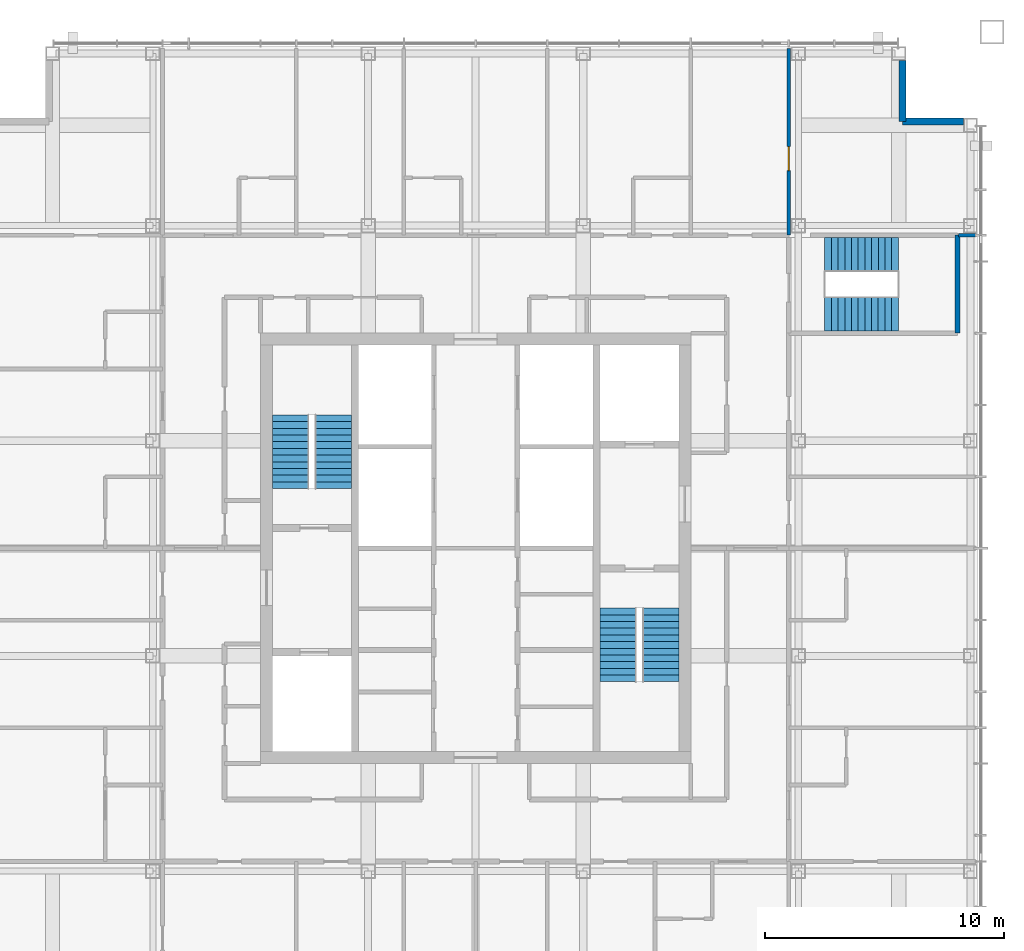
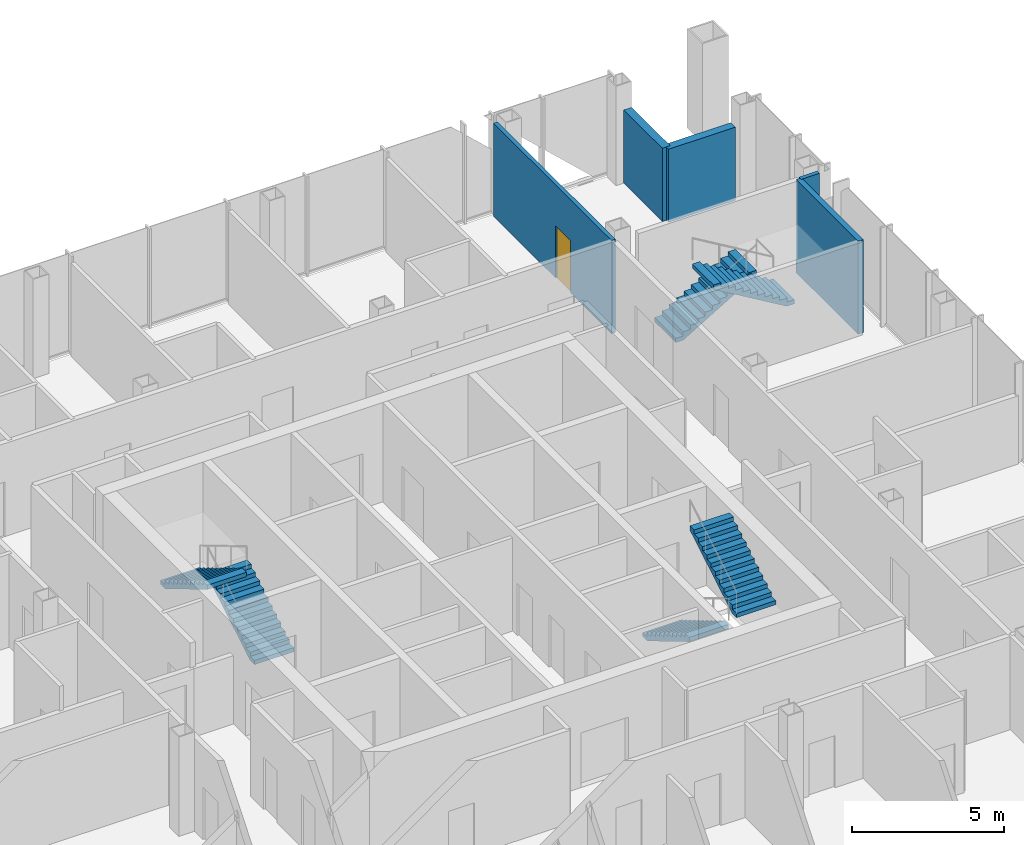
# One storey, part 11 of 16: 6 stair flights, 5 walls, 1 door, 1 opening, 3 elements without a shape of their own.
"""IFC4 building model written with IfcOpenShell, lengths in metres."""

from ifc_helpers import new_model, si_unit, direction, frame, frame_2d, origin, place, context, subcontext, project, spatial, polyline, rectangle, outline, extrude, material, layer, layer_set, type_object, element, fill, aggregate, save


model = new_model("IFC4")

# Units and contexts
model_context = context("Model", 3, precision=1e-05, world=origin(), true_north=direction((0.0, 1.0)))
body_context = subcontext(model_context, "Body", "Model", "MODEL_VIEW")
ifc_project = project(units=[si_unit("LENGTHUNIT", "METRE"), si_unit("AREAUNIT", "SQUARE_METRE"), si_unit("VOLUMEUNIT", "CUBIC_METRE"), si_unit("PLANEANGLEUNIT", "RADIAN"), si_unit("MASSUNIT", "GRAM", prefix="KILO")], contexts=[model_context])

# Site, building, storey
site_placement = place(None, origin())
site = spatial("IfcSite", under=ifc_project, at=site_placement, CompositionType="ELEMENT")
building_placement = place(site_placement, origin())
building = spatial("IfcBuilding", under=site, at=building_placement, Name="Malebo Sky Hospital", CompositionType="ELEMENT")
storey_placement = place(building_placement, frame((0.0, 0.0, 254.0)))
storey = spatial("IfcBuildingStorey", under=building, at=storey_placement, Name="L61", CompositionType="ELEMENT", Elevation=254.0)

# Walls
ifc_material_1 = material(Name="Anodised aluminium rainscreen on steel framing", Category="steel")
ifc_layer_1 = layer(ifc_material_1, 0.300048828125)
ifc_layer_set_1 = layer_set([ifc_layer_1], Name="NOTCH RAINSCREEN WALL 300")
wall_type_1 = type_object("IfcWallType", Name="NOTCH RAINSCREEN WALL 300", PredefinedType="ELEMENTEDWALL", material=ifc_layer_set_1)
for number, where, z_axis, x_axis, name in (
    (1, (77.85009765625, 82.39990234375, 0.0), (0.0, 0.0, 1.0), (0.0, -1.0, 0.0), "Notch rainscreen wall N1 L61"),
    (2, (77.85009765625, 79.85009765625, 0.0), (0.0, 0.0, 1.0), (1.0, 0.0, 0.0), "Notch rainscreen wall N2 L61"),
):
    element("IfcWall", number, at=place(storey_placement, frame(where, z_axis=z_axis, x_axis=x_axis)), inside=storey, type_object=wall_type_1, Name=name, PredefinedType="ELEMENTEDWALL", context=body_context, shape_type="SweptSolid", body=[
        extrude(rectangle(XDim=2.5498046875, YDim=0.300048828125, at=frame_2d((1.27490234375, 0.0))), origin(), (0.0, 0.0, 1.0), 2.949951171875),
    ])

# Wall, opening, door
ifc_material_2 = material(Name="Gypsum board on steel studs", Category="steel")
ifc_layer_2 = layer(ifc_material_2, 0.14990234375)
ifc_layer_set_2 = layer_set([ifc_layer_2], Name="PARTITION 150")
wall_type_2 = type_object("IfcWallType", Name="PARTITION 150", PredefinedType="PARTITIONING", material=ifc_layer_set_2)
wall_1_placement = place(storey_placement, frame((73.10009765625, 75.10009765625, 0.0), z_axis=(0.0, 0.0, 1.0), x_axis=(0.0, 1.0, 0.0)))
wall_1 = element("IfcWall", 3, at=wall_1_placement, inside=storey, type_object=wall_type_2, Name="Partition 150 NK", PredefinedType="PARTITIONING", context=body_context, shape_type="SweptSolid", body=[
    extrude(rectangle(XDim=7.7998046875, YDim=0.14990234375, at=frame_2d((3.89990234375, 0.0))), origin(), (0.0, 0.0, 1.0), 3.75),
])
opening_placement = place(wall_1_placement, frame((2.699951171875, 0.0, 0.0)))
opening = element("IfcOpeningElement", 4, at=opening_placement, cuts=wall_1, Name="Opening D03", PredefinedType="OPENING", context=body_context, shape_type="SweptSolid", body=[
    extrude(rectangle(XDim=1.0, YDim=2.10009765625, at=frame_2d((0.5, 1.050048828125))), frame((0.0, 0.0849609375, 0.0), z_axis=(0.0, -1.0, 0.0), x_axis=(1.0, 0.0, 0.0)), (0.0, 0.0, 1.0), 0.169921875),
])
ifc_material_3 = material(Name="Hardwood-faced door leaf in steel frame", Category="steel")
door_type = type_object("IfcDoorType", Name="ROOM DOOR 1000", OperationType="SINGLE_SWING_LEFT", PredefinedType="DOOR", material=ifc_material_3)
door_placement = place(opening_placement, origin())
door = element("IfcDoor", 5, at=door_placement, inside=storey, type_object=door_type, Name="Quiet room door", OperationType="SINGLE_SWING_LEFT", OverallHeight=2.10009765625, OverallWidth=1.0, PredefinedType="DOOR", context=body_context, shape_type="SweptSolid", body=[
    extrude(rectangle(XDim=1.0, YDim=2.10009765625, at=frame_2d((0.5, 1.050048828125))), frame((0.0, 0.02490234375, 0.0), z_axis=(0.0, -1.0, 0.0), x_axis=(1.0, 0.0, 0.0)), (0.0, 0.0, 1.0), 0.050048828125),
])
fill(opening, door)

# Walls
wall_2_placement = place(storey_placement, frame((80.199951171875, 75.10009765625, 0.0), z_axis=(0.0, 0.0, 1.0), x_axis=(1.0, 0.0, 0.0)))
element("IfcWall", 6, at=wall_2_placement, inside=storey, type_object=wall_type_2, Name="Partition 150 EP0", PredefinedType="PARTITIONING", context=body_context, shape_type="SweptSolid", body=[
    extrude(rectangle(XDim=0.699951171875, YDim=0.14990234375, at=frame_2d((0.35009765625, 0.0))), origin(), (0.0, 0.0, 1.0), 3.75),
])
ifc_material_4 = material(Name="Concrete C40/50", Category="concrete")
ifc_layer_3 = layer(ifc_material_4, 0.199951171875)
ifc_layer_set_3 = layer_set([ifc_layer_3], Name="STAIR ENCLOSURE WALL 200")
wall_type_3 = type_object("IfcWallType", Name="STAIR ENCLOSURE WALL 200", PredefinedType="SOLIDWALL", material=ifc_layer_set_3)
wall_3_placement = place(storey_placement, frame((80.14990234375, 71.0, 0.0), z_axis=(0.0, 0.0, 1.0), x_axis=(0.0, 1.0, 0.0)))
element("IfcWall", 7, at=wall_3_placement, inside=storey, type_object=wall_type_3, Name="Stair Enclosure Wall 200 ST3EE", PredefinedType="SOLIDWALL", context=body_context, shape_type="SweptSolid", body=[
    extrude(rectangle(XDim=4.10009765625, YDim=0.199951171875, at=frame_2d((2.050048828125, 0.0))), origin(), (0.0, 0.0, 1.0), 3.75),
])

# Stair, stair flights
stair_type_1 = type_object("IfcStairType", Name="HALF-TURN STAIR 1400 R167", PredefinedType="HALF_TURN_STAIR", material=ifc_material_4)
stair_1_placement = place(storey_placement, origin())
stair_1 = element("IfcStair", 8, at=stair_1_placement, inside=storey, type_object=stair_type_1, Name="Stair S3 L61 type ST1B", PredefinedType="HALF_TURN_STAIR")
stair_flight_type_1 = type_object("IfcStairFlightType", Name="STAIR FLIGHT 1400 R167", PredefinedType="STRAIGHT", material=ifc_material_4)
stair_flight_1_placement = place(storey_placement, frame((74.60009765625, 74.300048828125, 0.0), z_axis=(0.0, 0.0, 1.0), x_axis=(1.0, 0.0, 0.0)))
stair_flight_1 = element("IfcStairFlight", 9, at=stair_flight_1_placement, type_object=stair_flight_type_1, Name="S3 flight 1 type SF1B", NumberOfRisers=12, NumberOfTreads=11, PredefinedType="STRAIGHT", RiserHeight=0.166666667, TreadLength=0.28, context=body_context, shape_type="SweptSolid", body=[
    extrude(outline(polyline([(0.0, 0.0), (0.0, 0.166748046875), (0.280029296875, 0.166748046875), (0.280029296875, 0.333251953125), (0.56005859375, 0.333251953125), (0.56005859375, 0.5), (0.840087890625, 0.5), (0.840087890625, 0.666748046875), (1.1201171875, 0.666748046875), (1.1201171875, 0.833251953125), (1.39990234375, 0.833251953125), (1.39990234375, 1.0), (1.679931640625, 1.0), (1.679931640625, 1.166748046875), (1.9599609375, 1.166748046875), (1.9599609375, 1.333251953125), (2.239990234375, 1.333251953125), (2.239990234375, 1.5), (2.52001953125, 1.5), (2.52001953125, 1.666748046875), (2.800048828125, 1.666748046875), (2.800048828125, 1.833251953125), (3.080078125, 1.833251953125), (3.080078125, 2.0), (3.080078125, 1.658935546875), (0.29296875, 0.0), (0.0, 0.0)])), frame((0.0, 0.699951171875, 0.0), z_axis=(0.0, -1.0, 0.0), x_axis=(1.0, 0.0, 0.0)), (0.0, 0.0, 1.0), 1.39990234375),
])
stair_flight_2_placement = place(storey_placement, frame((77.679931640625, 71.800048828125, 2.0), z_axis=(0.0, 0.0, 1.0), x_axis=(-1.0, 0.0, 0.0)))
stair_flight_2 = element("IfcStairFlight", 10, at=stair_flight_2_placement, type_object=stair_flight_type_1, Name="S3 flight 2 type SF1B", NumberOfRisers=12, NumberOfTreads=11, PredefinedType="STRAIGHT", RiserHeight=0.166666667, TreadLength=0.28, context=body_context, shape_type="SweptSolid", body=[
    extrude(outline(polyline([(0.0, 0.0), (0.0, 0.166748046875), (0.280029296875, 0.166748046875), (0.280029296875, 0.333251953125), (0.56005859375, 0.333251953125), (0.56005859375, 0.5), (0.840087890625, 0.5), (0.840087890625, 0.666748046875), (1.1201171875, 0.666748046875), (1.1201171875, 0.833251953125), (1.39990234375, 0.833251953125), (1.39990234375, 1.0), (1.679931640625, 1.0), (1.679931640625, 1.166748046875), (1.9599609375, 1.166748046875), (1.9599609375, 1.333251953125), (2.239990234375, 1.333251953125), (2.239990234375, 1.5), (2.52001953125, 1.5), (2.52001953125, 1.666748046875), (2.800048828125, 1.666748046875), (2.800048828125, 1.833251953125), (3.080078125, 1.833251953125), (3.080078125, 2.0), (3.080078125, 1.658935546875), (0.29296875, 0.0), (0.0, 0.0)])), frame((0.0, 0.699951171875, 0.0), z_axis=(0.0, -1.0, 0.0), x_axis=(1.0, 0.0, 0.0)), (0.0, 0.0, 1.0), 1.39990234375),
])
aggregate(stair_1, [stair_flight_1, stair_flight_2])

stair_type_2 = type_object("IfcStairType", Name="HALF-TURN STAIR 1500 R167", PredefinedType="HALF_TURN_STAIR", material=ifc_material_4)
stair_2_placement = place(storey_placement, origin())
stair_2 = element("IfcStair", 11, at=stair_2_placement, inside=storey, type_object=stair_type_2, Name="Stair S1 L61 type ST1", PredefinedType="HALF_TURN_STAIR")
stair_flight_type_2 = type_object("IfcStairFlightType", Name="STAIR FLIGHT 1500 R167", PredefinedType="STRAIGHT", material=ifc_material_4)
stair_flight_3_placement = place(storey_placement, frame((54.050048828125, 64.5, 0.0), z_axis=(0.0, 0.0, 1.0), x_axis=(0.0, 1.0, 0.0)))
stair_flight_3 = element("IfcStairFlight", 12, at=stair_flight_3_placement, type_object=stair_flight_type_2, Name="S1 flight 1 type SF1", NumberOfRisers=12, NumberOfTreads=11, PredefinedType="STRAIGHT", RiserHeight=0.166666667, TreadLength=0.28, context=body_context, shape_type="SweptSolid", body=[
    extrude(outline(polyline([(0.0, 0.0), (0.0, 0.166748046875), (0.280029296875, 0.166748046875), (0.280029296875, 0.333251953125), (0.56005859375, 0.333251953125), (0.56005859375, 0.5), (0.840087890625, 0.5), (0.840087890625, 0.666748046875), (1.1201171875, 0.666748046875), (1.1201171875, 0.833251953125), (1.39990234375, 0.833251953125), (1.39990234375, 1.0), (1.679931640625, 1.0), (1.679931640625, 1.166748046875), (1.9599609375, 1.166748046875), (1.9599609375, 1.333251953125), (2.239990234375, 1.333251953125), (2.239990234375, 1.5), (2.52001953125, 1.5), (2.52001953125, 1.666748046875), (2.800048828125, 1.666748046875), (2.800048828125, 1.833251953125), (3.080078125, 1.833251953125), (3.080078125, 2.0), (3.080078125, 1.658935546875), (0.29296875, 0.0), (0.0, 0.0)])), frame((0.0, 0.75, 0.0), z_axis=(0.0, -1.0, 0.0), x_axis=(1.0, 0.0, 0.0)), (0.0, 0.0, 1.0), 1.5),
])
stair_flight_4_placement = place(storey_placement, frame((52.25, 67.580078125, 2.0), z_axis=(0.0, 0.0, 1.0), x_axis=(0.0, -1.0, 0.0)))
stair_flight_4 = element("IfcStairFlight", 13, at=stair_flight_4_placement, type_object=stair_flight_type_2, Name="S1 flight 2 type SF1", NumberOfRisers=12, NumberOfTreads=11, PredefinedType="STRAIGHT", RiserHeight=0.166666667, TreadLength=0.28, context=body_context, shape_type="SweptSolid", body=[
    extrude(outline(polyline([(0.0, 0.0), (0.0, 0.166748046875), (0.280029296875, 0.166748046875), (0.280029296875, 0.333251953125), (0.56005859375, 0.333251953125), (0.56005859375, 0.5), (0.840087890625, 0.5), (0.840087890625, 0.666748046875), (1.1201171875, 0.666748046875), (1.1201171875, 0.833251953125), (1.39990234375, 0.833251953125), (1.39990234375, 1.0), (1.679931640625, 1.0), (1.679931640625, 1.166748046875), (1.9599609375, 1.166748046875), (1.9599609375, 1.333251953125), (2.239990234375, 1.333251953125), (2.239990234375, 1.5), (2.52001953125, 1.5), (2.52001953125, 1.666748046875), (2.800048828125, 1.666748046875), (2.800048828125, 1.833251953125), (3.080078125, 1.833251953125), (3.080078125, 2.0), (3.080078125, 1.658935546875), (0.29296875, 0.0), (0.0, 0.0)])), frame((0.0, 0.75, 0.0), z_axis=(0.0, -1.0, 0.0), x_axis=(1.0, 0.0, 0.0)), (0.0, 0.0, 1.0), 1.5),
])
aggregate(stair_2, [stair_flight_3, stair_flight_4])

stair_3_placement = place(storey_placement, origin())
stair_3 = element("IfcStair", 14, at=stair_3_placement, inside=storey, type_object=stair_type_2, Name="Stair S2 L61 type ST1", PredefinedType="HALF_TURN_STAIR")
stair_flight_5_placement = place(storey_placement, frame((65.949951171875, 59.5, 0.0), z_axis=(0.0, 0.0, 1.0), x_axis=(0.0, -1.0, 0.0)))
stair_flight_5 = element("IfcStairFlight", 15, at=stair_flight_5_placement, type_object=stair_flight_type_2, Name="S2 flight 1 type SF1", NumberOfRisers=12, NumberOfTreads=11, PredefinedType="STRAIGHT", RiserHeight=0.166666667, TreadLength=0.28, context=body_context, shape_type="SweptSolid", body=[
    extrude(outline(polyline([(0.0, 0.0), (0.0, 0.166748046875), (0.280029296875, 0.166748046875), (0.280029296875, 0.333251953125), (0.56005859375, 0.333251953125), (0.56005859375, 0.5), (0.840087890625, 0.5), (0.840087890625, 0.666748046875), (1.1201171875, 0.666748046875), (1.1201171875, 0.833251953125), (1.39990234375, 0.833251953125), (1.39990234375, 1.0), (1.679931640625, 1.0), (1.679931640625, 1.166748046875), (1.9599609375, 1.166748046875), (1.9599609375, 1.333251953125), (2.239990234375, 1.333251953125), (2.239990234375, 1.5), (2.52001953125, 1.5), (2.52001953125, 1.666748046875), (2.800048828125, 1.666748046875), (2.800048828125, 1.833251953125), (3.080078125, 1.833251953125), (3.080078125, 2.0), (3.080078125, 1.658935546875), (0.29296875, 0.0), (0.0, 0.0)])), frame((0.0, 0.75, 0.0), z_axis=(0.0, -1.0, 0.0), x_axis=(1.0, 0.0, 0.0)), (0.0, 0.0, 1.0), 1.5),
])
stair_flight_6_placement = place(storey_placement, frame((67.75, 56.419921875, 2.0), z_axis=(0.0, 0.0, 1.0), x_axis=(0.0, 1.0, 0.0)))
stair_flight_6 = element("IfcStairFlight", 16, at=stair_flight_6_placement, type_object=stair_flight_type_2, Name="S2 flight 2 type SF1", NumberOfRisers=12, NumberOfTreads=11, PredefinedType="STRAIGHT", RiserHeight=0.166666667, TreadLength=0.28, context=body_context, shape_type="SweptSolid", body=[
    extrude(outline(polyline([(0.0, 0.0), (0.0, 0.166748046875), (0.280029296875, 0.166748046875), (0.280029296875, 0.333251953125), (0.56005859375, 0.333251953125), (0.56005859375, 0.5), (0.840087890625, 0.5), (0.840087890625, 0.666748046875), (1.1201171875, 0.666748046875), (1.1201171875, 0.833251953125), (1.39990234375, 0.833251953125), (1.39990234375, 1.0), (1.679931640625, 1.0), (1.679931640625, 1.166748046875), (1.9599609375, 1.166748046875), (1.9599609375, 1.333251953125), (2.239990234375, 1.333251953125), (2.239990234375, 1.5), (2.52001953125, 1.5), (2.52001953125, 1.666748046875), (2.800048828125, 1.666748046875), (2.800048828125, 1.833251953125), (3.080078125, 1.833251953125), (3.080078125, 2.0), (3.080078125, 1.658935546875), (0.29296875, 0.0), (0.0, 0.0)])), frame((0.0, 0.75, 0.0), z_axis=(0.0, -1.0, 0.0), x_axis=(1.0, 0.0, 0.0)), (0.0, 0.0, 1.0), 1.5),
])
aggregate(stair_3, [stair_flight_5, stair_flight_6])

save(model, "model.ifc")
